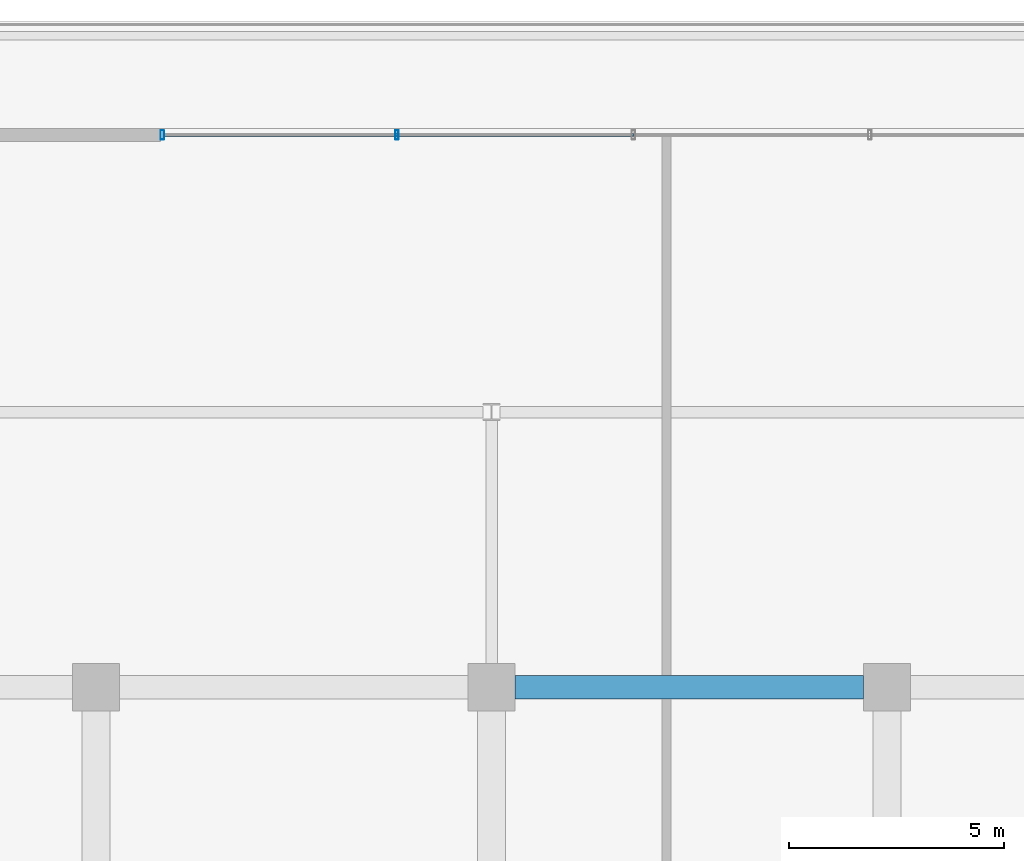
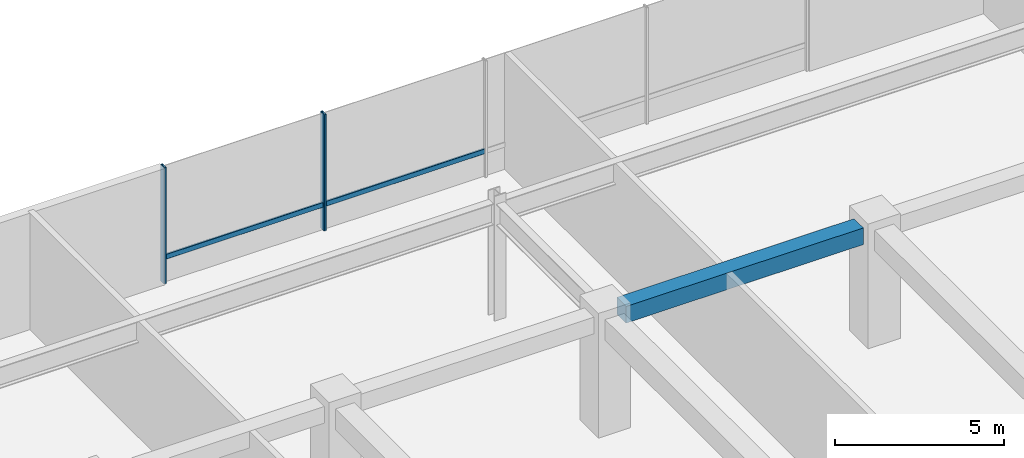
# One storey, part 12 of 43: 4 members, 1 beam, 1 element without a shape of its own.
"""IFC4 building model written with IfcOpenShell, lengths in metres."""

from ifc_helpers import new_model, si_unit, direction, frame, origin, origin_2d, place, context, subcontext, project, spatial, rectangle, hollow_rectangle, extrude, material, layer, layer_set, material_profile, profile_set, type_object, element, aggregate, save


model = new_model("IFC4")

# Units and contexts
model_context = context("Model", 3, precision=1e-05, world=origin(), true_north=direction((0.0, 1.0)))
body_context = subcontext(model_context, "Body", "Model", "MODEL_VIEW")
ifc_project = project(units=[si_unit("LENGTHUNIT", "METRE"), si_unit("AREAUNIT", "SQUARE_METRE"), si_unit("VOLUMEUNIT", "CUBIC_METRE"), si_unit("PLANEANGLEUNIT", "RADIAN"), si_unit("MASSUNIT", "GRAM", prefix="KILO")], contexts=[model_context])

# Site, building, storey
site_placement = place(None, origin())
site = spatial("IfcSite", under=ifc_project, at=site_placement, CompositionType="ELEMENT")
building_placement = place(site_placement, origin())
building = spatial("IfcBuilding", under=site, at=building_placement, Name="Korimba Cascade Residences", CompositionType="ELEMENT")
storey_placement = place(building_placement, frame((0.0, 0.0, 10.0)))
storey = spatial("IfcBuildingStorey", under=building, at=storey_placement, Name="L02", CompositionType="ELEMENT", Elevation=10.0)

# Beam
ifc_material_1 = material(Name="Concrete C50/60", Category="concrete")
ifc_material_profile_1 = material_profile(ifc_material_1, rectangle(XDim=0.550048828125, YDim=0.60009765625, at=origin_2d()), Name="Concrete C50/60")
ifc_profile_set_1 = profile_set([ifc_material_profile_1], Name="Concrete C50/60")
beam_type = type_object("IfcBeamType", Name="BM-RC-B600", PredefinedType="BEAM", material=ifc_profile_set_1)
beam_placement = place(storey_placement, frame((94.25, 91.199951171875, 3.89990234375), z_axis=(1.0, 0.0, 0.0), x_axis=(0.0, 1.0, 0.0)))
element("IfcBeam", 1, at=beam_placement, inside=storey, type_object=beam_type, Name="L02 T1 E-W Girder Y4 Bay 5", PredefinedType="BEAM", context=body_context, shape_type="SweptSolid", body=[
    extrude(rectangle(XDim=0.550048828125, YDim=0.60009765625, at=origin_2d()), origin(), (0.0, 0.0, 1.0), 8.10009765625),
])

# Curtain wall, members
ifc_material_2 = material(Name="Anodised Aluminium Curtain Wall Framing", Category="aluminium")
ifc_layer = layer(ifc_material_2, 0.179931640625)
ifc_layer_set = layer_set([ifc_layer], Name="Anodised Aluminium Curtain Wall Framing")
curtain_wall_type = type_object("IfcCurtainWallType", Name="CW-POD-SYS1", PredefinedType="NOTDEFINED", material=ifc_layer_set)
curtain_wall_placement = place(storey_placement, origin())
curtain_wall = element("IfcCurtainWall", 2, at=curtain_wall_placement, inside=storey, type_object=curtain_wall_type, Name="L02 Curtain Wall CW-L02-POD-N", PredefinedType="NOTDEFINED")
ifc_material_3 = material(Name="Anodised Aluminium Mullion", Category="aluminium")
ifc_material_profile_2 = material_profile(ifc_material_3, hollow_rectangle(XDim=0.080078125, YDim=0.219970703125, WallThickness=0.00634765625, InnerFilletRadius=0.00634765625, OuterFilletRadius=0.0126953125, at=origin_2d()), Name="Anodised Aluminium Mullion")
ifc_profile_set_2 = profile_set([ifc_material_profile_2], Name="Anodised Aluminium Mullion")
member_type_1 = type_object("IfcMemberType", Name="CWM-MUL-220", PredefinedType="MULLION", material=ifc_profile_set_2)
member_1_placement = place(storey_placement, frame((91.5, 104.050048828125, 0.0), z_axis=(0.0, 0.0, 1.0), x_axis=(-1.0, 0.0, 0.0)))
member_1 = element("IfcMember", 3, at=member_1_placement, type_object=member_type_1, Name="CW-L02-POD-N Mullion 4", PredefinedType="MULLION", context=body_context, shape_type="SweptSolid", body=[
    extrude(hollow_rectangle(XDim=0.080078125, YDim=0.219970703125, WallThickness=0.00634765625, InnerFilletRadius=0.00634765625, OuterFilletRadius=0.0126953125, at=origin_2d()), origin(), (0.0, 0.0, 1.0), 4.199951171875),
])
member_2_placement = place(storey_placement, frame((86.0400390625, 104.050048828125, 0.0), z_axis=(0.0, 0.0, 1.0), x_axis=(-1.0, 0.0, 0.0)))
member_2 = element("IfcMember", 4, at=member_2_placement, type_object=member_type_1, Name="CW-L02-POD-N Mullion 5", PredefinedType="MULLION", context=body_context, shape_type="SweptSolid", body=[
    extrude(hollow_rectangle(XDim=0.080078125, YDim=0.219970703125, WallThickness=0.00634765625, InnerFilletRadius=0.00634765625, OuterFilletRadius=0.0126953125, at=origin_2d()), origin(), (0.0, 0.0, 1.0), 4.199951171875),
])
ifc_material_4 = material(Name="Anodised Aluminium Transom", Category="aluminium")
ifc_material_profile_3 = material_profile(ifc_material_4, hollow_rectangle(XDim=0.070068359375, YDim=0.179931640625, WallThickness=0.0048828125, InnerFilletRadius=0.0048828125, OuterFilletRadius=0.010009765625, at=origin_2d()), Name="Anodised Aluminium Transom")
ifc_profile_set_3 = profile_set([ifc_material_profile_3], Name="Anodised Aluminium Transom")
member_type_2 = type_object("IfcMemberType", Name="CWM-TRN-150", PredefinedType="USERDEFINED", material=ifc_profile_set_3)
member_3_placement = place(storey_placement, frame((97.0, 104.050048828125, 0.89990234375), z_axis=(-1.0, 0.0, 0.0), x_axis=(0.0, -1.0, 0.0)))
member_3 = element("IfcMember", 5, at=member_3_placement, type_object=member_type_2, Name="CW-L02-POD-N Transom 3", ObjectType="TRANSOM", PredefinedType="USERDEFINED", context=body_context, shape_type="SweptSolid", body=[
    extrude(hollow_rectangle(XDim=0.070068359375, YDim=0.179931640625, WallThickness=0.0048828125, InnerFilletRadius=0.0048828125, OuterFilletRadius=0.010009765625, at=origin_2d()), origin(), (0.0, 0.0, 1.0), 5.5),
])
member_4_placement = place(storey_placement, frame((91.5, 104.050048828125, 0.89990234375), z_axis=(-1.0, 0.0, 0.0), x_axis=(0.0, -1.0, 0.0)))
member_4 = element("IfcMember", 6, at=member_4_placement, type_object=member_type_2, Name="CW-L02-POD-N Transom 4", ObjectType="TRANSOM", PredefinedType="USERDEFINED", context=body_context, shape_type="SweptSolid", body=[
    extrude(hollow_rectangle(XDim=0.070068359375, YDim=0.179931640625, WallThickness=0.0048828125, InnerFilletRadius=0.0048828125, OuterFilletRadius=0.010009765625, at=origin_2d()), origin(), (0.0, 0.0, 1.0), 5.4599609375),
])
aggregate(curtain_wall, [member_1, member_2, member_3, member_4])

save(model, "model.ifc")
